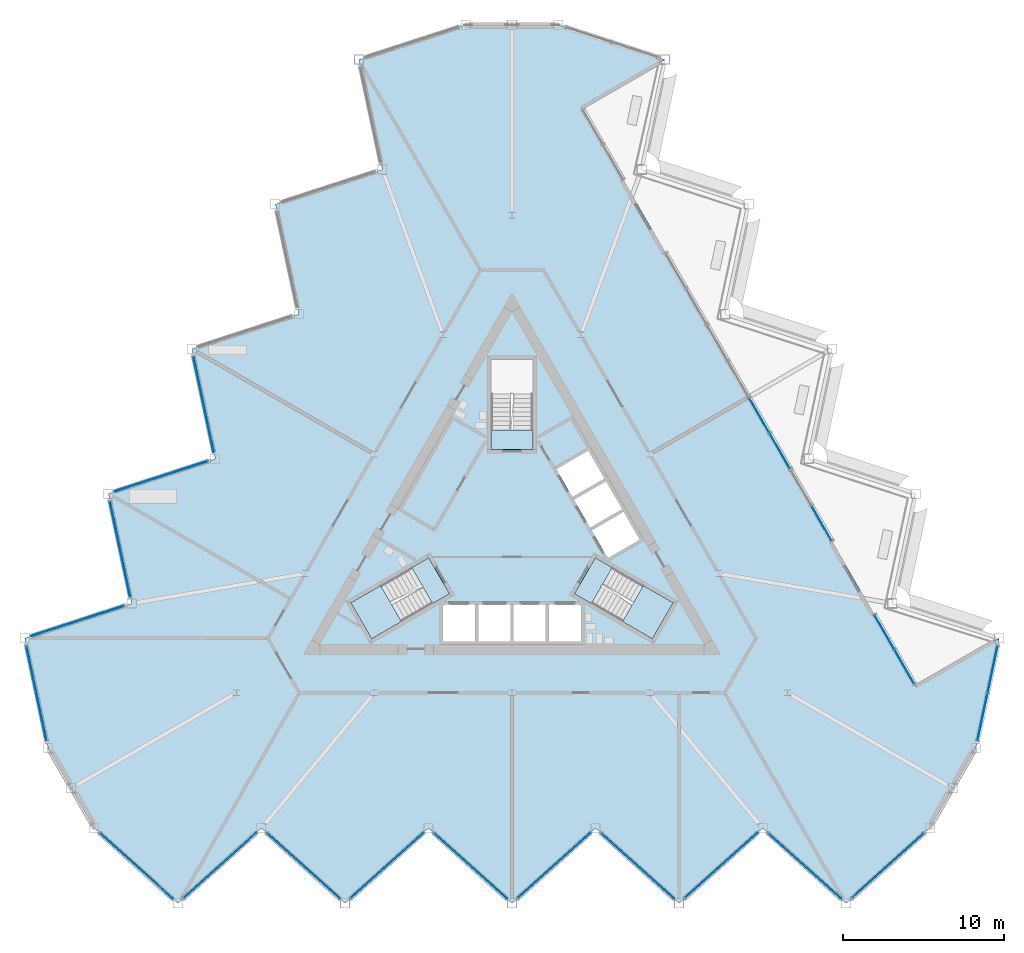
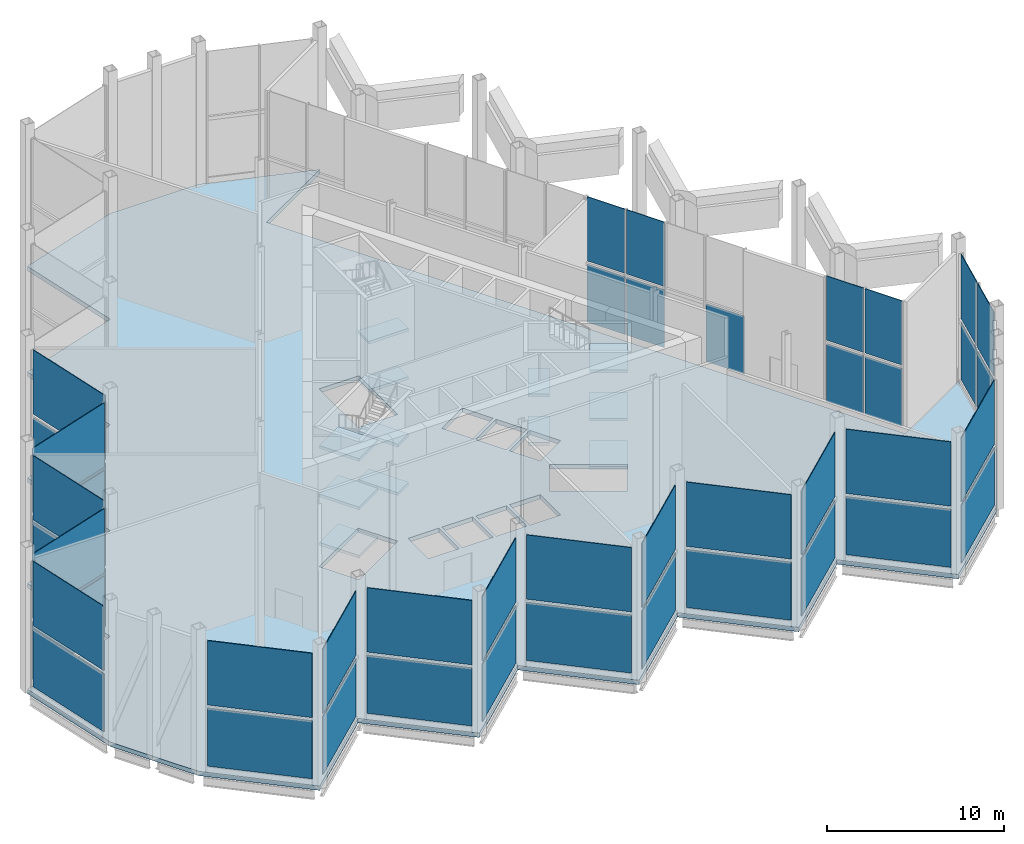
# One storey, part 7 of 18: 43 plates, 13 slabs, 9 elements without a shape of their own.
"""IFC4 building model written with IfcOpenShell, lengths in metres."""

from ifc_helpers import new_model, si_unit, direction, frame, origin, origin_2d, place, context, subcontext, project, spatial, polyline, rectangle, outline, extrude, material, layer, layer_set, type_object, element, aggregate, save


model = new_model("IFC4")

# Units and contexts
model_context = context("Model", 3, precision=1e-05, world=origin(), true_north=direction((0.0, 1.0)))
body_context = subcontext(model_context, "Body", "Model", "MODEL_VIEW")
ifc_project = project(units=[si_unit("LENGTHUNIT", "METRE"), si_unit("AREAUNIT", "SQUARE_METRE"), si_unit("VOLUMEUNIT", "CUBIC_METRE"), si_unit("PLANEANGLEUNIT", "RADIAN"), si_unit("MASSUNIT", "GRAM", prefix="KILO")], contexts=[model_context])

# Site, building, storey
site_placement = place(None, origin())
site = spatial("IfcSite", under=ifc_project, at=site_placement, CompositionType="ELEMENT")
building_placement = place(site_placement, origin())
building = spatial("IfcBuilding", under=site, at=building_placement, Name="Cormorant Prow Tower", CompositionType="ELEMENT")
storey_placement = place(building_placement, frame((0.0, 0.0, 346.0)))
storey = spatial("IfcBuildingStorey", under=building, at=storey_placement, Name="L78", CompositionType="ELEMENT", Elevation=346.0)

# Slab
ifc_material_1 = material(Name="Concrete C40/50", Category="concrete")
ifc_layer_1 = layer(ifc_material_1, 0.300048828125)
ifc_layer_set_1 = layer_set([ifc_layer_1], Name="Concrete C40/50")
slab_type_1 = type_object("IfcSlabType", Name="Post-tensioned flat slab 300", PredefinedType="FLOOR", material=ifc_layer_set_1)
slab_1_placement = place(storey_placement, frame((0.0, 0.0, -0.300048828125)))
element("IfcSlab", 1, at=slab_1_placement, inside=storey, type_object=slab_type_1, Name="Floor slab L78", PredefinedType="FLOOR", context=body_context, shape_type="SweptSolid", body=[
    extrude(outline(polyline([(-15.59716796875, -18.326904296875), (-10.398193359375, -23.008056640625), (-5.198974609375, -18.326904296875), (0.0, -23.008056640625), (5.198974609375, -18.326904296875), (10.398193359375, -23.008056640625), (15.59716796875, -18.326904296875), (20.79638671875, -23.008056640625), (25.995361328125, -18.326904296875), (27.432373046875, -15.838134765625), (28.869140625, -13.349365234375), (30.32373046875, -6.506103515625), (25.127685546875, -9.506103515625), (4.331298828125, 26.51416015625), (9.52734375, 29.51416015625), (2.873779296875, 31.676025390625), (0.0, 31.676025390625), (-2.873779296875, 31.676025390625), (-9.52734375, 29.51416015625), (-8.072998046875, 22.6708984375), (-14.7265625, 20.509033203125), (-13.27197265625, 13.666015625), (-19.925537109375, 11.504150390625), (-18.470947265625, 4.660888671875), (-25.124755859375, 2.4990234375), (-23.670166015625, -4.34423828125), (-30.32373046875, -6.506103515625), (-28.869140625, -13.349365234375), (-27.432373046875, -15.838134765625), (-25.995361328125, -18.326904296875), (-20.79638671875, -23.008056640625), (-15.59716796875, -18.326904296875)]), holes=[polyline([(-4.300048828125, -4.39990234375), (-2.300048828125, -4.39990234375), (-2.300048828125, -6.699951171875), (-4.300048828125, -6.699951171875), (-4.300048828125, -4.39990234375)]), polyline([(-0.10009765625, -4.39990234375), (-0.10009765625, -6.699951171875), (-2.10009765625, -6.699951171875), (-2.10009765625, -4.39990234375), (-0.10009765625, -4.39990234375)]), polyline([(2.10009765625, -6.699951171875), (0.10009765625, -6.699951171875), (0.10009765625, -4.39990234375), (2.10009765625, -4.39990234375), (2.10009765625, -6.699951171875)]), polyline([(2.300048828125, -6.699951171875), (2.300048828125, -4.39990234375), (4.300048828125, -4.39990234375), (4.300048828125, -6.699951171875), (2.300048828125, -6.699951171875)]), polyline([(5.96044921875, -1.52392578125), (4.96044921875, 0.2080078125), (6.952392578125, 1.358154296875), (7.952392578125, -0.373779296875), (5.96044921875, -1.52392578125)]), polyline([(3.860595703125, 2.11328125), (5.852294921875, 3.263427734375), (6.852294921875, 1.53125), (4.860595703125, 0.38134765625), (3.860595703125, 2.11328125)]), polyline([(4.75244140625, 5.168701171875), (5.75244140625, 3.4365234375), (3.760498046875, 2.28662109375), (2.760498046875, 4.018798828125), (4.75244140625, 5.168701171875)]), polyline([(-4.947509765625, -4.3505859375), (-8.738037109375, -6.5390625), (-10.031982421875, -4.2978515625), (-6.241455078125, -2.109375), (-4.947509765625, -4.3505859375)]), polyline([(10.031982421875, -4.2978515625), (8.738037109375, -6.5390625), (4.947509765625, -4.3505859375), (6.241455078125, -2.109375), (10.031982421875, -4.2978515625)]), polyline([(1.2939453125, 10.8369140625), (1.2939453125, 6.459716796875), (-1.2939453125, 6.459716796875), (-1.2939453125, 10.8369140625), (1.2939453125, 10.8369140625)])]), origin(), (0.0, 0.0, 1.0), 0.300048828125),
])

# Curtain wall, plates
ifc_material_2 = material(Name="Aluminium 6063-T6", Category="aluminium")
ifc_layer_2 = layer(ifc_material_2, 0.300048828125)
ifc_layer_set_2 = layer_set([ifc_layer_2], Name="Aluminium 6063-T6")
curtain_wall_type = type_object("IfcCurtainWallType", Name="Sky lobby unitised curtain wall 300", PredefinedType="NOTDEFINED", material=ifc_layer_set_2)
curtain_wall_1_placement = place(storey_placement, origin())
curtain_wall_1 = element("IfcCurtainWall", 2, at=curtain_wall_1_placement, inside=storey, type_object=curtain_wall_type, Name="Sky lobby curtain wall S00-S09", PredefinedType="NOTDEFINED")
ifc_material_3 = material(Name="Clear glass", Category="glass")
ifc_layer_3 = layer(ifc_material_3, 0.0439453125)
ifc_layer_set_3 = layer_set([ifc_layer_3], Name="Clear glass")
plate_type = type_object("IfcPlateType", Name="Sky lobby glass panel 44", PredefinedType="CURTAIN_PANEL", material=ifc_layer_set_3)
plate_1_placement = place(storey_placement, frame((-23.3662109375, -20.6943359375, 0.4501953125), z_axis=(0.0, 0.0, 1.0), x_axis=(0.743144815375, -0.669130617578, 0.0)))
plate_1 = element("IfcPlate", 3, at=plate_1_placement, type_object=plate_type, Name="Sky lobby glass panel S00-S09", PredefinedType="CURTAIN_PANEL", context=body_context, shape_type="SweptSolid", body=[
    extrude(rectangle(XDim=6.048095703125, YDim=0.0439453125, at=origin_2d()), origin(), (0.0, 0.0, 1.0), 3.973876953125),
])
plate_2_placement = place(storey_placement, frame((-23.3662109375, -20.6943359375, 4.6640625), z_axis=(0.0, 0.0, 1.0), x_axis=(0.743144815375, -0.669130617578, 0.0)))
plate_2 = element("IfcPlate", 4, at=plate_2_placement, type_object=plate_type, Name="Sky lobby glass panel S00-S09", PredefinedType="CURTAIN_PANEL", context=body_context, shape_type="SweptSolid", body=[
    extrude(rectangle(XDim=6.048095703125, YDim=0.0439453125, at=origin_2d()), origin(), (0.0, 0.0, 1.0), 4.424072265625),
])
plate_3_placement = place(storey_placement, frame((-18.1669921875, -20.640625, 0.4501953125), z_axis=(0.0, 0.0, 1.0), x_axis=(0.743144751377, 0.669130688656, 0.0)))
plate_3 = element("IfcPlate", 5, at=plate_3_placement, type_object=plate_type, Name="Sky lobby glass panel S00-S09", PredefinedType="CURTAIN_PANEL", context=body_context, shape_type="SweptSolid", body=[
    extrude(rectangle(XDim=6.048095703125, YDim=0.0439453125, at=origin_2d()), origin(), (0.0, 0.0, 1.0), 3.973876953125),
])
plate_4_placement = place(storey_placement, frame((-18.1669921875, -20.640625, 4.6640625), z_axis=(0.0, 0.0, 1.0), x_axis=(0.743144751377, 0.669130688656, 0.0)))
plate_4 = element("IfcPlate", 6, at=plate_4_placement, type_object=plate_type, Name="Sky lobby glass panel S00-S09", PredefinedType="CURTAIN_PANEL", context=body_context, shape_type="SweptSolid", body=[
    extrude(rectangle(XDim=6.048095703125, YDim=0.0439453125, at=origin_2d()), origin(), (0.0, 0.0, 1.0), 4.424072265625),
])
plate_5_placement = place(storey_placement, frame((-12.968017578125, -20.6943359375, 0.4501953125), z_axis=(0.0, 0.0, 1.0), x_axis=(0.743144815375, -0.669130617578, 0.0)))
plate_5 = element("IfcPlate", 7, at=plate_5_placement, type_object=plate_type, Name="Sky lobby glass panel S00-S09", PredefinedType="CURTAIN_PANEL", context=body_context, shape_type="SweptSolid", body=[
    extrude(rectangle(XDim=6.048095703125, YDim=0.0439453125, at=origin_2d()), origin(), (0.0, 0.0, 1.0), 3.973876953125),
])
plate_6_placement = place(storey_placement, frame((-12.968017578125, -20.6943359375, 4.6640625), z_axis=(0.0, 0.0, 1.0), x_axis=(0.743144815375, -0.669130617578, 0.0)))
plate_6 = element("IfcPlate", 8, at=plate_6_placement, type_object=plate_type, Name="Sky lobby glass panel S00-S09", PredefinedType="CURTAIN_PANEL", context=body_context, shape_type="SweptSolid", body=[
    extrude(rectangle(XDim=6.048095703125, YDim=0.0439453125, at=origin_2d()), origin(), (0.0, 0.0, 1.0), 4.424072265625),
])
plate_7_placement = place(storey_placement, frame((-7.768798828125, -20.640625, 0.4501953125), z_axis=(0.0, 0.0, 1.0), x_axis=(0.743144751377, 0.669130688656, 0.0)))
plate_7 = element("IfcPlate", 9, at=plate_7_placement, type_object=plate_type, Name="Sky lobby glass panel S00-S09", PredefinedType="CURTAIN_PANEL", context=body_context, shape_type="SweptSolid", body=[
    extrude(rectangle(XDim=6.048095703125, YDim=0.0439453125, at=origin_2d()), origin(), (0.0, 0.0, 1.0), 3.973876953125),
])
plate_8_placement = place(storey_placement, frame((-7.768798828125, -20.640625, 4.6640625), z_axis=(0.0, 0.0, 1.0), x_axis=(0.743144751377, 0.669130688656, 0.0)))
plate_8 = element("IfcPlate", 10, at=plate_8_placement, type_object=plate_type, Name="Sky lobby glass panel S00-S09", PredefinedType="CURTAIN_PANEL", context=body_context, shape_type="SweptSolid", body=[
    extrude(rectangle(XDim=6.048095703125, YDim=0.0439453125, at=origin_2d()), origin(), (0.0, 0.0, 1.0), 4.424072265625),
])
plate_9_placement = place(storey_placement, frame((-2.56982421875, -20.6943359375, 0.4501953125), z_axis=(0.0, 0.0, 1.0), x_axis=(0.743144815375, -0.669130617578, 0.0)))
plate_9 = element("IfcPlate", 11, at=plate_9_placement, type_object=plate_type, Name="Sky lobby glass panel S00-S09", PredefinedType="CURTAIN_PANEL", context=body_context, shape_type="SweptSolid", body=[
    extrude(rectangle(XDim=6.048095703125, YDim=0.0439453125, at=origin_2d()), origin(), (0.0, 0.0, 1.0), 3.973876953125),
])
plate_10_placement = place(storey_placement, frame((-2.56982421875, -20.6943359375, 4.6640625), z_axis=(0.0, 0.0, 1.0), x_axis=(0.743144815375, -0.669130617578, 0.0)))
plate_10 = element("IfcPlate", 12, at=plate_10_placement, type_object=plate_type, Name="Sky lobby glass panel S00-S09", PredefinedType="CURTAIN_PANEL", context=body_context, shape_type="SweptSolid", body=[
    extrude(rectangle(XDim=6.048095703125, YDim=0.0439453125, at=origin_2d()), origin(), (0.0, 0.0, 1.0), 4.424072265625),
])
plate_11_placement = place(storey_placement, frame((2.629150390625, -20.640625, 0.4501953125), z_axis=(0.0, 0.0, 1.0), x_axis=(0.743144815375, 0.669130617578, 0.0)))
plate_11 = element("IfcPlate", 13, at=plate_11_placement, type_object=plate_type, Name="Sky lobby glass panel S00-S09", PredefinedType="CURTAIN_PANEL", context=body_context, shape_type="SweptSolid", body=[
    extrude(rectangle(XDim=6.048095703125, YDim=0.0439453125, at=origin_2d()), origin(), (0.0, 0.0, 1.0), 3.973876953125),
])
plate_12_placement = place(storey_placement, frame((2.629150390625, -20.640625, 4.6640625), z_axis=(0.0, 0.0, 1.0), x_axis=(0.743144815375, 0.669130617578, 0.0)))
plate_12 = element("IfcPlate", 14, at=plate_12_placement, type_object=plate_type, Name="Sky lobby glass panel S00-S09", PredefinedType="CURTAIN_PANEL", context=body_context, shape_type="SweptSolid", body=[
    extrude(rectangle(XDim=6.048095703125, YDim=0.0439453125, at=origin_2d()), origin(), (0.0, 0.0, 1.0), 4.424072265625),
])
plate_13_placement = place(storey_placement, frame((7.828369140625, -20.6943359375, 0.4501953125), z_axis=(0.0, 0.0, 1.0), x_axis=(0.743144751377, -0.669130688656, 0.0)))
plate_13 = element("IfcPlate", 15, at=plate_13_placement, type_object=plate_type, Name="Sky lobby glass panel S00-S09", PredefinedType="CURTAIN_PANEL", context=body_context, shape_type="SweptSolid", body=[
    extrude(rectangle(XDim=6.048095703125, YDim=0.0439453125, at=origin_2d()), origin(), (0.0, 0.0, 1.0), 3.973876953125),
])
plate_14_placement = place(storey_placement, frame((7.828369140625, -20.6943359375, 4.6640625), z_axis=(0.0, 0.0, 1.0), x_axis=(0.743144751377, -0.669130688656, 0.0)))
plate_14 = element("IfcPlate", 16, at=plate_14_placement, type_object=plate_type, Name="Sky lobby glass panel S00-S09", PredefinedType="CURTAIN_PANEL", context=body_context, shape_type="SweptSolid", body=[
    extrude(rectangle(XDim=6.048095703125, YDim=0.0439453125, at=origin_2d()), origin(), (0.0, 0.0, 1.0), 4.424072265625),
])
plate_15_placement = place(storey_placement, frame((13.02734375, -20.640625, 0.4501953125), z_axis=(0.0, 0.0, 1.0), x_axis=(0.743144815375, 0.669130617578, 0.0)))
plate_15 = element("IfcPlate", 17, at=plate_15_placement, type_object=plate_type, Name="Sky lobby glass panel S00-S09", PredefinedType="CURTAIN_PANEL", context=body_context, shape_type="SweptSolid", body=[
    extrude(rectangle(XDim=6.048095703125, YDim=0.0439453125, at=origin_2d()), origin(), (0.0, 0.0, 1.0), 3.973876953125),
])
plate_16_placement = place(storey_placement, frame((13.02734375, -20.640625, 4.6640625), z_axis=(0.0, 0.0, 1.0), x_axis=(0.743144815375, 0.669130617578, 0.0)))
plate_16 = element("IfcPlate", 18, at=plate_16_placement, type_object=plate_type, Name="Sky lobby glass panel S00-S09", PredefinedType="CURTAIN_PANEL", context=body_context, shape_type="SweptSolid", body=[
    extrude(rectangle(XDim=6.048095703125, YDim=0.0439453125, at=origin_2d()), origin(), (0.0, 0.0, 1.0), 4.424072265625),
])
plate_17_placement = place(storey_placement, frame((18.2265625, -20.6943359375, 0.4501953125), z_axis=(0.0, 0.0, 1.0), x_axis=(0.743144751377, -0.669130688656, 0.0)))
plate_17 = element("IfcPlate", 19, at=plate_17_placement, type_object=plate_type, Name="Sky lobby glass panel S00-S09", PredefinedType="CURTAIN_PANEL", context=body_context, shape_type="SweptSolid", body=[
    extrude(rectangle(XDim=6.048095703125, YDim=0.0439453125, at=origin_2d()), origin(), (0.0, 0.0, 1.0), 3.973876953125),
])
plate_18_placement = place(storey_placement, frame((18.2265625, -20.6943359375, 4.6640625), z_axis=(0.0, 0.0, 1.0), x_axis=(0.743144751377, -0.669130688656, 0.0)))
plate_18 = element("IfcPlate", 20, at=plate_18_placement, type_object=plate_type, Name="Sky lobby glass panel S00-S09", PredefinedType="CURTAIN_PANEL", context=body_context, shape_type="SweptSolid", body=[
    extrude(rectangle(XDim=6.048095703125, YDim=0.0439453125, at=origin_2d()), origin(), (0.0, 0.0, 1.0), 4.424072265625),
])
plate_19_placement = place(storey_placement, frame((23.395751953125, -20.66748046875, 0.4501953125), z_axis=(0.0, 0.0, 1.0), x_axis=(0.743144815375, 0.669130617578, 0.0)))
plate_19 = element("IfcPlate", 21, at=plate_19_placement, type_object=plate_type, Name="Sky lobby glass panel S00-S09", PredefinedType="CURTAIN_PANEL", context=body_context, shape_type="SweptSolid", body=[
    extrude(rectangle(XDim=5.968017578125, YDim=0.0439453125, at=origin_2d()), origin(), (0.0, 0.0, 1.0), 3.973876953125),
])
plate_20_placement = place(storey_placement, frame((23.395751953125, -20.66748046875, 4.6640625), z_axis=(0.0, 0.0, 1.0), x_axis=(0.743144815375, 0.669130617578, 0.0)))
plate_20 = element("IfcPlate", 22, at=plate_20_placement, type_object=plate_type, Name="Sky lobby glass panel S00-S09", PredefinedType="CURTAIN_PANEL", context=body_context, shape_type="SweptSolid", body=[
    extrude(rectangle(XDim=5.968017578125, YDim=0.0439453125, at=origin_2d()), origin(), (0.0, 0.0, 1.0), 4.424072265625),
])
aggregate(curtain_wall_1, [plate_1, plate_2, plate_3, plate_4, plate_5, plate_6, plate_7, plate_8, plate_9, plate_10, plate_11, plate_12, plate_13, plate_14, plate_15, plate_16, plate_17, plate_18, plate_19, plate_20])

curtain_wall_2_placement = place(storey_placement, origin())
curtain_wall_2 = element("IfcCurtainWall", 23, at=curtain_wall_2_placement, inside=storey, type_object=curtain_wall_type, Name="Sky lobby curtain wall ENE00", PredefinedType="NOTDEFINED")
plate_21_placement = place(storey_placement, frame((29.281982421875, -11.40673828125, 0.4501953125), z_axis=(0.0, 0.0, 1.0), x_axis=(0.20791176281, 0.978147585431, 0.0)))
plate_21 = element("IfcPlate", 24, at=plate_21_placement, type_object=plate_type, Name="Sky lobby glass panel ENE00", PredefinedType="CURTAIN_PANEL", context=body_context, shape_type="SweptSolid", body=[
    extrude(rectangle(XDim=2.944091796875, YDim=0.0439453125, at=origin_2d()), origin(), (0.0, 0.0, 1.0), 3.973876953125),
])
plate_22_placement = place(storey_placement, frame((29.910888671875, -8.44873046875, 0.4501953125), z_axis=(0.0, 0.0, 1.0), x_axis=(0.20791176281, 0.978147585431, 0.0)))
plate_22 = element("IfcPlate", 25, at=plate_22_placement, type_object=plate_type, Name="Sky lobby glass panel ENE00", PredefinedType="CURTAIN_PANEL", context=body_context, shape_type="SweptSolid", body=[
    extrude(rectangle(XDim=2.944091796875, YDim=0.0439453125, at=origin_2d()), origin(), (0.0, 0.0, 1.0), 3.973876953125),
])
plate_23_placement = place(storey_placement, frame((29.281982421875, -11.40673828125, 4.6640625), z_axis=(0.0, 0.0, 1.0), x_axis=(0.20791176281, 0.978147585431, 0.0)))
plate_23 = element("IfcPlate", 26, at=plate_23_placement, type_object=plate_type, Name="Sky lobby glass panel ENE00", PredefinedType="CURTAIN_PANEL", context=body_context, shape_type="SweptSolid", body=[
    extrude(rectangle(XDim=2.944091796875, YDim=0.0439453125, at=origin_2d()), origin(), (0.0, 0.0, 1.0), 4.424072265625),
])
plate_24_placement = place(storey_placement, frame((29.910888671875, -8.44873046875, 4.6640625), z_axis=(0.0, 0.0, 1.0), x_axis=(0.20791176281, 0.978147585431, 0.0)))
plate_24 = element("IfcPlate", 27, at=plate_24_placement, type_object=plate_type, Name="Sky lobby glass panel ENE00", PredefinedType="CURTAIN_PANEL", context=body_context, shape_type="SweptSolid", body=[
    extrude(rectangle(XDim=2.944091796875, YDim=0.0439453125, at=origin_2d()), origin(), (0.0, 0.0, 1.0), 4.424072265625),
])
aggregate(curtain_wall_2, [plate_21, plate_22, plate_23, plate_24])

curtain_wall_3_placement = place(storey_placement, origin())
curtain_wall_3 = element("IfcCurtainWall", 28, at=curtain_wall_3_placement, inside=storey, type_object=curtain_wall_type, Name="Sky lobby curtain wall WNW00-WNW09", PredefinedType="NOTDEFINED")
plate_25_placement = place(storey_placement, frame((-19.18994140625, 8.04345703125, 0.4501953125), z_axis=(0.0, 0.0, 1.0), x_axis=(0.20791176281, -0.978147585431, 0.0)))
plate_25 = element("IfcPlate", 29, at=plate_25_placement, type_object=plate_type, Name="Sky lobby glass panel WNW00-WNW09", PredefinedType="CURTAIN_PANEL", context=body_context, shape_type="SweptSolid", body=[
    extrude(rectangle(XDim=6.048095703125, YDim=0.0439453125, at=origin_2d()), origin(), (0.0, 0.0, 1.0), 3.973876953125),
])
plate_26_placement = place(storey_placement, frame((-19.18994140625, 8.04345703125, 4.6640625), z_axis=(0.0, 0.0, 1.0), x_axis=(0.20791176281, -0.978147585431, 0.0)))
plate_26 = element("IfcPlate", 30, at=plate_26_placement, type_object=plate_type, Name="Sky lobby glass panel WNW00-WNW09", PredefinedType="CURTAIN_PANEL", context=body_context, shape_type="SweptSolid", body=[
    extrude(rectangle(XDim=6.048095703125, YDim=0.0439453125, at=origin_2d()), origin(), (0.0, 0.0, 1.0), 4.424072265625),
])
plate_27_placement = place(storey_placement, frame((-21.8359375, 3.567626953125, 0.4501953125), z_axis=(0.0, 0.0, 1.0), x_axis=(-0.951056517881, -0.309016989495, 0.0)))
plate_27 = element("IfcPlate", 31, at=plate_27_placement, type_object=plate_type, Name="Sky lobby glass panel WNW00-WNW09", PredefinedType="CURTAIN_PANEL", context=body_context, shape_type="SweptSolid", body=[
    extrude(rectangle(XDim=6.048095703125, YDim=0.0439453125, at=origin_2d()), origin(), (0.0, 0.0, 1.0), 3.973876953125),
])
plate_28_placement = place(storey_placement, frame((-21.8359375, 3.567626953125, 4.6640625), z_axis=(0.0, 0.0, 1.0), x_axis=(-0.951056517881, -0.309016989495, 0.0)))
plate_28 = element("IfcPlate", 32, at=plate_28_placement, type_object=plate_type, Name="Sky lobby glass panel WNW00-WNW09", PredefinedType="CURTAIN_PANEL", context=body_context, shape_type="SweptSolid", body=[
    extrude(rectangle(XDim=6.048095703125, YDim=0.0439453125, at=origin_2d()), origin(), (0.0, 0.0, 1.0), 4.424072265625),
])
plate_29_placement = place(storey_placement, frame((-24.38916015625, -0.961669921875, 0.4501953125), z_axis=(0.0, 0.0, 1.0), x_axis=(0.20791165512, -0.978147608322, 0.0)))
plate_29 = element("IfcPlate", 33, at=plate_29_placement, type_object=plate_type, Name="Sky lobby glass panel WNW00-WNW09", PredefinedType="CURTAIN_PANEL", context=body_context, shape_type="SweptSolid", body=[
    extrude(rectangle(XDim=6.048095703125, YDim=0.0439453125, at=origin_2d()), origin(), (0.0, 0.0, 1.0), 3.973876953125),
])
plate_30_placement = place(storey_placement, frame((-24.38916015625, -0.961669921875, 4.6640625), z_axis=(0.0, 0.0, 1.0), x_axis=(0.20791165512, -0.978147608322, 0.0)))
plate_30 = element("IfcPlate", 34, at=plate_30_placement, type_object=plate_type, Name="Sky lobby glass panel WNW00-WNW09", PredefinedType="CURTAIN_PANEL", context=body_context, shape_type="SweptSolid", body=[
    extrude(rectangle(XDim=6.048095703125, YDim=0.0439453125, at=origin_2d()), origin(), (0.0, 0.0, 1.0), 4.424072265625),
])
plate_31_placement = place(storey_placement, frame((-27.034912109375, -5.4375, 0.4501953125), z_axis=(0.0, 0.0, 1.0), x_axis=(-0.951056517881, -0.309016989495, 0.0)))
plate_31 = element("IfcPlate", 35, at=plate_31_placement, type_object=plate_type, Name="Sky lobby glass panel WNW00-WNW09", PredefinedType="CURTAIN_PANEL", context=body_context, shape_type="SweptSolid", body=[
    extrude(rectangle(XDim=6.048095703125, YDim=0.0439453125, at=origin_2d()), origin(), (0.0, 0.0, 1.0), 3.973876953125),
])
plate_32_placement = place(storey_placement, frame((-27.034912109375, -5.4375, 4.6640625), z_axis=(0.0, 0.0, 1.0), x_axis=(-0.951056517881, -0.309016989495, 0.0)))
plate_32 = element("IfcPlate", 36, at=plate_32_placement, type_object=plate_type, Name="Sky lobby glass panel WNW00-WNW09", PredefinedType="CURTAIN_PANEL", context=body_context, shape_type="SweptSolid", body=[
    extrude(rectangle(XDim=6.048095703125, YDim=0.0439453125, at=origin_2d()), origin(), (0.0, 0.0, 1.0), 4.424072265625),
])
plate_33_placement = place(storey_placement, frame((-29.596435546875, -9.927734375, 0.4501953125), z_axis=(0.0, 0.0, 1.0), x_axis=(0.20791176281, -0.978147585431, 0.0)))
plate_33 = element("IfcPlate", 37, at=plate_33_placement, type_object=plate_type, Name="Sky lobby glass panel WNW00-WNW09", PredefinedType="CURTAIN_PANEL", context=body_context, shape_type="SweptSolid", body=[
    extrude(rectangle(XDim=5.968017578125, YDim=0.0439453125, at=origin_2d()), origin(), (0.0, 0.0, 1.0), 3.973876953125),
])
plate_34_placement = place(storey_placement, frame((-29.596435546875, -9.927734375, 4.6640625), z_axis=(0.0, 0.0, 1.0), x_axis=(0.20791176281, -0.978147585431, 0.0)))
plate_34 = element("IfcPlate", 38, at=plate_34_placement, type_object=plate_type, Name="Sky lobby glass panel WNW00-WNW09", PredefinedType="CURTAIN_PANEL", context=body_context, shape_type="SweptSolid", body=[
    extrude(rectangle(XDim=5.968017578125, YDim=0.0439453125, at=origin_2d()), origin(), (0.0, 0.0, 1.0), 4.424072265625),
])
aggregate(curtain_wall_3, [plate_25, plate_26, plate_27, plate_28, plate_29, plate_30, plate_31, plate_32, plate_33, plate_34])

curtain_wall_4_placement = place(storey_placement, origin())
curtain_wall_4 = element("IfcCurtainWall", 39, at=curtain_wall_4_placement, inside=storey, type_object=curtain_wall_type, Name="Sky lobby curtain wall loggia ENE01", PredefinedType="NOTDEFINED")
plate_35_placement = place(storey_placement, frame((24.426513671875, -8.291748046875, 0.4501953125), z_axis=(0.0, 0.0, 1.0), x_axis=(-0.499999983736, 0.866025413174, 0.0)))
plate_35 = element("IfcPlate", 40, at=plate_35_placement, type_object=plate_type, Name="Sky lobby glass panel loggia ENE01", PredefinedType="CURTAIN_PANEL", context=body_context, shape_type="SweptSolid", body=[
    extrude(rectangle(XDim=2.424560546875, YDim=0.0439453125, at=origin_2d()), origin(), (0.0, 0.0, 1.0), 3.973876953125),
])
plate_36_placement = place(storey_placement, frame((23.17431640625, -6.122802734375, 0.4501953125), z_axis=(0.0, 0.0, 1.0), x_axis=(-0.499999983736, 0.866025413174, 0.0)))
plate_36 = element("IfcPlate", 41, at=plate_36_placement, type_object=plate_type, Name="Sky lobby glass panel loggia ENE01", PredefinedType="CURTAIN_PANEL", context=body_context, shape_type="SweptSolid", body=[
    extrude(rectangle(XDim=2.424560546875, YDim=0.0439453125, at=origin_2d()), origin(), (0.0, 0.0, 1.0), 3.973876953125),
])
plate_37_placement = place(storey_placement, frame((24.426513671875, -8.291748046875, 4.6640625), z_axis=(0.0, 0.0, 1.0), x_axis=(-0.499999983736, 0.866025413174, 0.0)))
plate_37 = element("IfcPlate", 42, at=plate_37_placement, type_object=plate_type, Name="Sky lobby glass panel loggia ENE01", PredefinedType="CURTAIN_PANEL", context=body_context, shape_type="SweptSolid", body=[
    extrude(rectangle(XDim=2.424560546875, YDim=0.0439453125, at=origin_2d()), origin(), (0.0, 0.0, 1.0), 4.424072265625),
])
plate_38_placement = place(storey_placement, frame((23.17431640625, -6.122802734375, 4.6640625), z_axis=(0.0, 0.0, 1.0), x_axis=(-0.499999983736, 0.866025413174, 0.0)))
plate_38 = element("IfcPlate", 43, at=plate_38_placement, type_object=plate_type, Name="Sky lobby glass panel loggia ENE01", PredefinedType="CURTAIN_PANEL", context=body_context, shape_type="SweptSolid", body=[
    extrude(rectangle(XDim=2.424560546875, YDim=0.0439453125, at=origin_2d()), origin(), (0.0, 0.0, 1.0), 4.424072265625),
])
aggregate(curtain_wall_4, [plate_35, plate_36, plate_37, plate_38])

# Curtain wall, plate
curtain_wall_5_placement = place(storey_placement, origin())
curtain_wall_5 = element("IfcCurtainWall", 44, at=curtain_wall_5_placement, inside=storey, type_object=curtain_wall_type, Name="Sky lobby curtain wall loggia ENE03", PredefinedType="NOTDEFINED")
plate_39_placement = place(storey_placement, frame((19.2685546875, 0.641845703125, 0.4501953125), z_axis=(0.0, 0.0, 1.0), x_axis=(-0.499999983736, 0.866025413174, 0.0)))
plate_39 = element("IfcPlate", 45, at=plate_39_placement, type_object=plate_type, Name="Sky lobby glass panel loggia ENE03", PredefinedType="CURTAIN_PANEL", context=body_context, shape_type="SweptSolid", body=[
    extrude(rectangle(XDim=2.4794921875, YDim=0.0439453125, at=origin_2d()), origin(), (0.0, 0.0, 1.0), 3.973876953125),
])
aggregate(curtain_wall_5, [plate_39])

# Curtain wall, plates
curtain_wall_6_placement = place(storey_placement, origin())
curtain_wall_6 = element("IfcCurtainWall", 46, at=curtain_wall_6_placement, inside=storey, type_object=curtain_wall_type, Name="Sky lobby curtain wall loggia ENE04", PredefinedType="NOTDEFINED")
plate_40_placement = place(storey_placement, frame((16.669189453125, 5.14453125, 0.4501953125), z_axis=(0.0, 0.0, 1.0), x_axis=(-0.499999983736, 0.866025413174, 0.0)))
plate_40 = element("IfcPlate", 47, at=plate_40_placement, type_object=plate_type, Name="Sky lobby glass panel loggia ENE04", PredefinedType="CURTAIN_PANEL", context=body_context, shape_type="SweptSolid", body=[
    extrude(rectangle(XDim=2.4794921875, YDim=0.0439453125, at=origin_2d()), origin(), (0.0, 0.0, 1.0), 3.973876953125),
])
plate_41_placement = place(storey_placement, frame((15.389404296875, 7.361083984375, 0.4501953125), z_axis=(0.0, 0.0, 1.0), x_axis=(-0.499999983736, 0.866025413174, 0.0)))
plate_41 = element("IfcPlate", 48, at=plate_41_placement, type_object=plate_type, Name="Sky lobby glass panel loggia ENE04", PredefinedType="CURTAIN_PANEL", context=body_context, shape_type="SweptSolid", body=[
    extrude(rectangle(XDim=2.4794921875, YDim=0.0439453125, at=origin_2d()), origin(), (0.0, 0.0, 1.0), 3.973876953125),
])
plate_42_placement = place(storey_placement, frame((16.669189453125, 5.14453125, 4.6640625), z_axis=(0.0, 0.0, 1.0), x_axis=(-0.499999983736, 0.866025413174, 0.0)))
plate_42 = element("IfcPlate", 49, at=plate_42_placement, type_object=plate_type, Name="Sky lobby glass panel loggia ENE04", PredefinedType="CURTAIN_PANEL", context=body_context, shape_type="SweptSolid", body=[
    extrude(rectangle(XDim=2.4794921875, YDim=0.0439453125, at=origin_2d()), origin(), (0.0, 0.0, 1.0), 4.424072265625),
])
plate_43_placement = place(storey_placement, frame((15.389404296875, 7.361083984375, 4.6640625), z_axis=(0.0, 0.0, 1.0), x_axis=(-0.499999983736, 0.866025413174, 0.0)))
plate_43 = element("IfcPlate", 50, at=plate_43_placement, type_object=plate_type, Name="Sky lobby glass panel loggia ENE04", PredefinedType="CURTAIN_PANEL", context=body_context, shape_type="SweptSolid", body=[
    extrude(rectangle(XDim=2.4794921875, YDim=0.0439453125, at=origin_2d()), origin(), (0.0, 0.0, 1.0), 4.424072265625),
])
aggregate(curtain_wall_6, [plate_40, plate_41, plate_42, plate_43])

# Stair, slabs
ifc_material_4 = material(Name="Exit stair 54 risers")
stair_type = type_object("IfcStairType", Name="Exit stair 54 risers", PredefinedType="HALF_TURN_STAIR", material=ifc_material_4)
stair_1_placement = place(storey_placement, origin())
stair_1 = element("IfcStair", 51, at=stair_1_placement, inside=storey, type_object=stair_type, Name="L78 Exit stair ST1", PredefinedType="HALF_TURN_STAIR")
ifc_material_5 = material(Name="Concrete 5000 psi", Category="concrete")
ifc_layer_4 = layer(ifc_material_5, 0.199951171875)
ifc_layer_set_4 = layer_set([ifc_layer_4], Name="Concrete 5000 psi")
slab_type_2 = type_object("IfcSlabType", Name="Stair landing 200", PredefinedType="LANDING", material=ifc_layer_set_4)
slab_2_placement = place(storey_placement, frame((0.0, 0.0, 1.466552734375)))
slab_2 = element("IfcSlab", 52, at=slab_2_placement, type_object=slab_type_2, Name="ST1 landing 1", PredefinedType="LANDING", context=body_context, shape_type="SweptSolid", body=[
    extrude(outline(polyline([(-8.17431640625, -3.225341796875), (-10.031982421875, -4.2978515625), (-8.738037109375, -6.5390625), (-6.88037109375, -5.466552734375), (-8.17431640625, -3.225341796875)])), origin(), (0.0, 0.0, 1.0), 0.2001953125),
])
slab_3_placement = place(storey_placement, frame((0.0, 0.0, 3.13330078125)))
slab_3 = element("IfcSlab", 53, at=slab_3_placement, type_object=slab_type_2, Name="ST1 landing 2", PredefinedType="LANDING", context=body_context, shape_type="SweptSolid", body=[
    extrude(outline(polyline([(-5.18212890625, -1.497802734375), (-6.241455078125, -2.109375), (-4.947265625, -4.3505859375), (-3.88818359375, -3.739013671875), (-5.18212890625, -1.497802734375)])), origin(), (0.0, 0.0, 1.0), 0.199951171875),
])
slab_4_placement = place(storey_placement, frame((0.0, 0.0, 4.800048828125)))
slab_4 = element("IfcSlab", 54, at=slab_4_placement, type_object=slab_type_2, Name="ST1 landing 3", PredefinedType="LANDING", context=body_context, shape_type="SweptSolid", body=[
    extrude(outline(polyline([(-8.17431640625, -3.225341796875), (-10.031982421875, -4.2978515625), (-8.738037109375, -6.5390625), (-6.88037109375, -5.466552734375), (-8.17431640625, -3.225341796875)])), origin(), (0.0, 0.0, 1.0), 0.199951171875),
])
slab_5_placement = place(storey_placement, frame((0.0, 0.0, 6.466552734375)))
slab_5 = element("IfcSlab", 55, at=slab_5_placement, type_object=slab_type_2, Name="ST1 landing 4", PredefinedType="LANDING", context=body_context, shape_type="SweptSolid", body=[
    extrude(outline(polyline([(-5.18212890625, -1.497802734375), (-6.241455078125, -2.109375), (-4.947265625, -4.3505859375), (-3.88818359375, -3.739013671875), (-5.18212890625, -1.497802734375)])), origin(), (0.0, 0.0, 1.0), 0.2001953125),
])
slab_6_placement = place(storey_placement, frame((0.0, 0.0, 8.13330078125)))
slab_6 = element("IfcSlab", 56, at=slab_6_placement, type_object=slab_type_2, Name="ST1 landing 5", PredefinedType="LANDING", context=body_context, shape_type="SweptSolid", body=[
    extrude(outline(polyline([(-8.17431640625, -3.225341796875), (-10.031982421875, -4.2978515625), (-8.738037109375, -6.5390625), (-6.88037109375, -5.466552734375), (-8.17431640625, -3.225341796875)])), origin(), (0.0, 0.0, 1.0), 0.199951171875),
])
aggregate(stair_1, [slab_2, slab_3, slab_4, slab_5, slab_6])

stair_2_placement = place(storey_placement, origin())
stair_2 = element("IfcStair", 57, at=stair_2_placement, inside=storey, type_object=stair_type, Name="L78 Exit stair ST2", PredefinedType="HALF_TURN_STAIR")
slab_7_placement = place(storey_placement, frame((0.0, 0.0, 1.466552734375)))
slab_7 = element("IfcSlab", 58, at=slab_7_placement, type_object=slab_type_2, Name="ST2 landing 1", PredefinedType="LANDING", context=body_context, shape_type="SweptSolid", body=[
    extrude(outline(polyline([(6.88037109375, -5.466552734375), (8.738037109375, -6.5390625), (10.031982421875, -4.2978515625), (8.17431640625, -3.225341796875), (6.88037109375, -5.466552734375)])), origin(), (0.0, 0.0, 1.0), 0.2001953125),
])
slab_8_placement = place(storey_placement, frame((0.0, 0.0, 3.13330078125)))
slab_8 = element("IfcSlab", 59, at=slab_8_placement, type_object=slab_type_2, Name="ST2 landing 2", PredefinedType="LANDING", context=body_context, shape_type="SweptSolid", body=[
    extrude(outline(polyline([(3.88818359375, -3.739013671875), (4.947265625, -4.3505859375), (6.241455078125, -2.109375), (5.18212890625, -1.497802734375), (3.88818359375, -3.739013671875)])), origin(), (0.0, 0.0, 1.0), 0.199951171875),
])
slab_9_placement = place(storey_placement, frame((0.0, 0.0, 4.800048828125)))
slab_9 = element("IfcSlab", 60, at=slab_9_placement, type_object=slab_type_2, Name="ST2 landing 3", PredefinedType="LANDING", context=body_context, shape_type="SweptSolid", body=[
    extrude(outline(polyline([(6.88037109375, -5.466552734375), (8.738037109375, -6.5390625), (10.031982421875, -4.2978515625), (8.17431640625, -3.225341796875), (6.88037109375, -5.466552734375)])), origin(), (0.0, 0.0, 1.0), 0.199951171875),
])
slab_10_placement = place(storey_placement, frame((0.0, 0.0, 6.466552734375)))
slab_10 = element("IfcSlab", 61, at=slab_10_placement, type_object=slab_type_2, Name="ST2 landing 4", PredefinedType="LANDING", context=body_context, shape_type="SweptSolid", body=[
    extrude(outline(polyline([(3.88818359375, -3.739013671875), (4.947265625, -4.3505859375), (6.241455078125, -2.109375), (5.18212890625, -1.497802734375), (3.88818359375, -3.739013671875)])), origin(), (0.0, 0.0, 1.0), 0.2001953125),
])
slab_11_placement = place(storey_placement, frame((0.0, 0.0, 8.13330078125)))
slab_11 = element("IfcSlab", 62, at=slab_11_placement, type_object=slab_type_2, Name="ST2 landing 5", PredefinedType="LANDING", context=body_context, shape_type="SweptSolid", body=[
    extrude(outline(polyline([(6.88037109375, -5.466552734375), (8.738037109375, -6.5390625), (10.031982421875, -4.2978515625), (8.17431640625, -3.225341796875), (6.88037109375, -5.466552734375)])), origin(), (0.0, 0.0, 1.0), 0.199951171875),
])
aggregate(stair_2, [slab_7, slab_8, slab_9, slab_10, slab_11])

stair_3_placement = place(storey_placement, origin())
stair_3 = element("IfcStair", 63, at=stair_3_placement, inside=storey, type_object=stair_type, Name="L78 Exit stair ST3", PredefinedType="HALF_TURN_STAIR")
slab_12_placement = place(storey_placement, frame((0.0, 0.0, 3.13330078125)))
slab_12 = element("IfcSlab", 64, at=slab_12_placement, type_object=slab_type_2, Name="ST3 landing 2", PredefinedType="LANDING", context=body_context, shape_type="SweptSolid", body=[
    extrude(outline(polyline([(1.2939453125, 5.23681640625), (1.2939453125, 6.459716796875), (-1.2939453125, 6.459716796875), (-1.2939453125, 5.23681640625), (1.2939453125, 5.23681640625)])), origin(), (0.0, 0.0, 1.0), 0.199951171875),
])
slab_13_placement = place(storey_placement, frame((0.0, 0.0, 6.466552734375)))
slab_13 = element("IfcSlab", 65, at=slab_13_placement, type_object=slab_type_2, Name="ST3 landing 4", PredefinedType="LANDING", context=body_context, shape_type="SweptSolid", body=[
    extrude(outline(polyline([(1.2939453125, 5.23681640625), (1.2939453125, 6.459716796875), (-1.2939453125, 6.459716796875), (-1.2939453125, 5.23681640625), (1.2939453125, 5.23681640625)])), origin(), (0.0, 0.0, 1.0), 0.2001953125),
])
aggregate(stair_3, [slab_12, slab_13])

save(model, "model.ifc")
